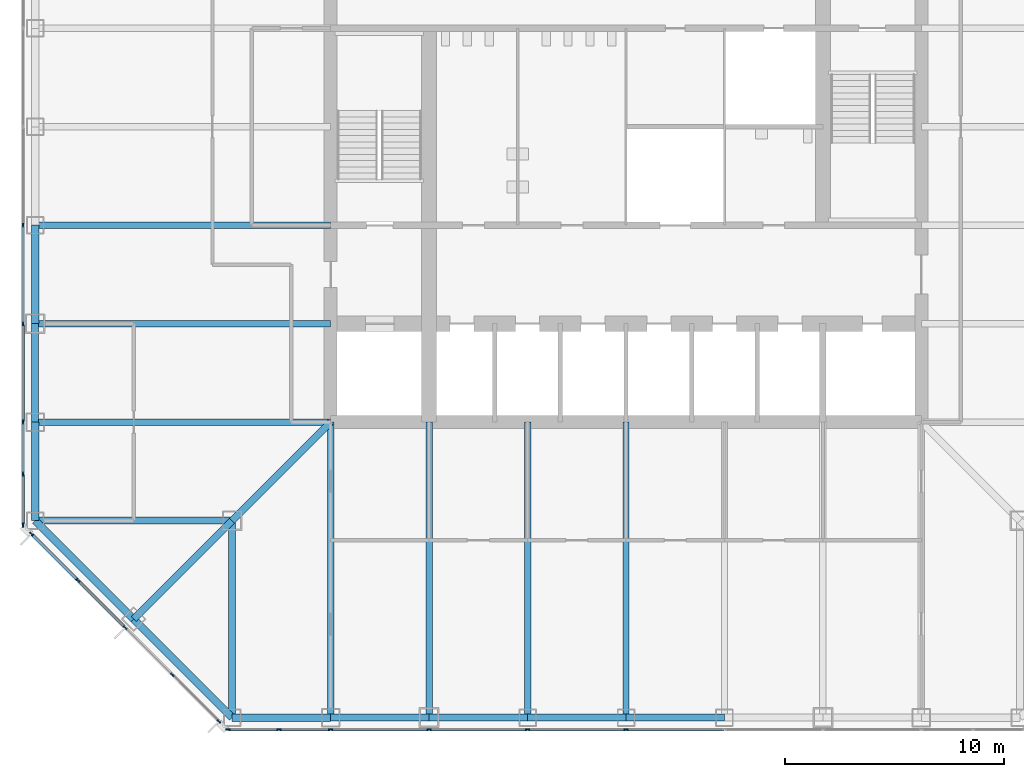
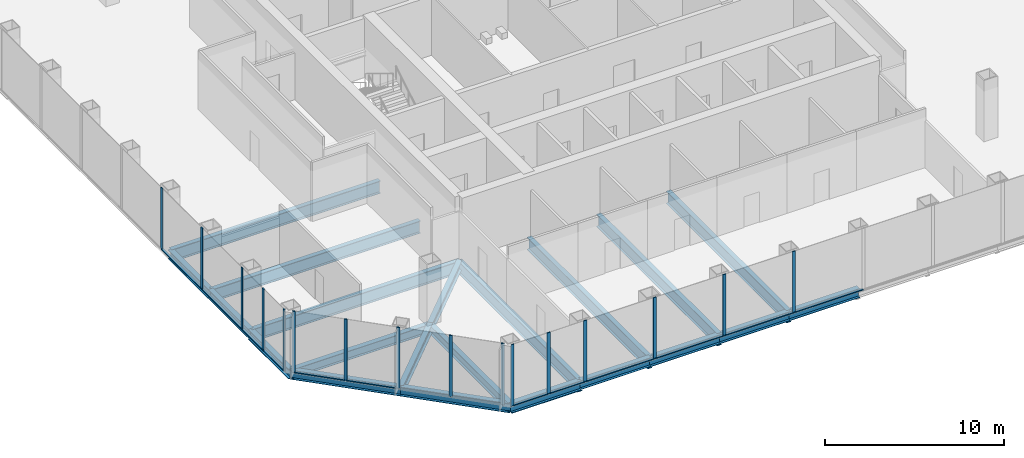
# One storey, part 2 of 12: 28 members, 21 beams, 3 elements without a shape of their own.
"""IFC4 building model written with IfcOpenShell, lengths in metres."""

from ifc_helpers import new_model, si_unit, direction, frame, origin, origin_2d, place, context, subcontext, project, spatial, rectangle, i_section, extrude, material, material_profile, profile_set, type_object, element, aggregate, save


model = new_model("IFC4")

# Units and contexts
model_context = context("Model", 3, precision=1e-05, world=origin(), true_north=direction((0.0, 1.0)))
body_context = subcontext(model_context, "Body", "Model", "MODEL_VIEW")
ifc_project = project(units=[si_unit("LENGTHUNIT", "METRE"), si_unit("AREAUNIT", "SQUARE_METRE"), si_unit("VOLUMEUNIT", "CUBIC_METRE"), si_unit("PLANEANGLEUNIT", "RADIAN"), si_unit("MASSUNIT", "GRAM", prefix="KILO")], contexts=[model_context])

# Site, building, storey
site_placement = place(None, origin())
site = spatial("IfcSite", under=ifc_project, at=site_placement, CompositionType="ELEMENT")
building_placement = place(site_placement, origin())
building = spatial("IfcBuilding", under=site, at=building_placement, Name="Corais Broadcast Tower", CompositionType="ELEMENT")
storey_placement = place(building_placement, frame((0.0, 0.0, 54.199951171875)))
storey = spatial("IfcBuildingStorey", under=building, at=storey_placement, Name="L11", CompositionType="ELEMENT", Elevation=54.199951171875)

# Beams
ifc_material_1 = material(Name="Steel ASTM A572 Grade 50", Category="steel")
ifc_material_profile_1 = material_profile(ifc_material_1, i_section(OverallWidth=0.323974609375, OverallDepth=0.611083984375, WebThickness=0.0126953125, FlangeThickness=0.01904296875, at=origin_2d()), Name="W610x155")
ifc_profile_set_1 = profile_set([ifc_material_profile_1], Name="Steel ASTM A572 Grade 50")
beam_type_1 = type_object("IfcBeamType", Name="Chamfer tie W610x155", PredefinedType="BEAM", material=ifc_profile_set_1)
beam_1_placement = place(storey_placement, frame((4.5, 4.5, -0.46533203125), z_axis=(0.707106781187, 0.707106781187, 0.0), x_axis=(-0.707106781187, 0.707106781187, 0.0)))
element("IfcBeam", 1, at=beam_1_placement, inside=storey, type_object=beam_type_1, Name="B5 B/4 to C/5", PredefinedType="BEAM", context=body_context, shape_type="SweptSolid", body=[
    extrude(i_section(OverallWidth=0.323974609375, OverallDepth=0.611083984375, WebThickness=0.0126953125, FlangeThickness=0.01904296875, at=origin_2d()), origin(), (0.0, 0.0, 1.0), 6.364013671875),
])
ifc_material_2 = material(Name="Steel ASTM A572 Grade 50", Category="steel")
ifc_material_profile_2 = material_profile(ifc_material_2, i_section(OverallWidth=0.323974609375, OverallDepth=0.611083984375, WebThickness=0.0126953125, FlangeThickness=0.01904296875, at=origin_2d()), Name="W610x155")
ifc_profile_set_2 = profile_set([ifc_material_profile_2], Name="Steel ASTM A572 Grade 50")
beam_type_2 = type_object("IfcBeamType", Name="Corner diagonal W610x155", PredefinedType="BEAM", material=ifc_profile_set_2)
beam_2_placement = place(storey_placement, frame((9.0, 9.0, -0.46533203125), z_axis=(0.707106781187, 0.707106781187, 0.0), x_axis=(-0.707106781187, 0.707106781187, 0.0)))
element("IfcBeam", 2, at=beam_2_placement, inside=storey, type_object=beam_type_2, Name="B6 C/5 to D/6", PredefinedType="BEAM", context=body_context, shape_type="SweptSolid", body=[
    extrude(i_section(OverallWidth=0.323974609375, OverallDepth=0.611083984375, WebThickness=0.0126953125, FlangeThickness=0.01904296875, at=origin_2d()), origin(), (0.0, 0.0, 1.0), 6.364013671875),
])
ifc_material_3 = material(Name="Steel ASTM A572 Grade 50", Category="steel")
ifc_material_profile_3 = material_profile(ifc_material_3, i_section(OverallWidth=0.323974609375, OverallDepth=0.611083984375, WebThickness=0.0126953125, FlangeThickness=0.01904296875, at=origin_2d()), Name="W610x155")
ifc_profile_set_3 = profile_set([ifc_material_profile_3], Name="Steel ASTM A572 Grade 50")
beam_type_3 = type_object("IfcBeamType", Name="Corner girder W610x155", PredefinedType="BEAM", material=ifc_profile_set_3)
for number, where, z_axis, x_axis, name in (
    (3, (0.0, 9.0, -0.46533203125), (1.0, 0.0, 0.0), (0.0, 1.0, 0.0), "B4 C/3 to C/5"),
    (4, (9.0, 0.0, -0.46533203125), (0.0, 1.0, 0.0), (-1.0, 0.0, 0.0), "B4 A/5 to C/5"),
):
    element("IfcBeam", number, at=place(storey_placement, frame(where, z_axis=z_axis, x_axis=x_axis)), inside=storey, type_object=beam_type_3, Name=name, PredefinedType="BEAM", context=body_context, shape_type="SweptSolid", body=[
        extrude(i_section(OverallWidth=0.323974609375, OverallDepth=0.611083984375, WebThickness=0.0126953125, FlangeThickness=0.01904296875, at=origin_2d()), origin(), (0.0, 0.0, 1.0), 9.0),
    ])
ifc_material_4 = material(Name="Steel ASTM A572 Grade 50", Category="steel")
ifc_material_profile_4 = material_profile(ifc_material_4, i_section(OverallWidth=0.337890625, OverallDepth=0.677978515625, WebThickness=0.029541015625, FlangeThickness=0.052978515625, at=origin_2d()), Name="W610x415")
ifc_profile_set_4 = profile_set([ifc_material_profile_4], Name="Steel ASTM A572 Grade 50")
beam_type_4 = type_object("IfcBeamType", Name="Corner spandrel W610x415", PredefinedType="BEAM", material=ifc_profile_set_4)
for number, where, z_axis, x_axis, name in (
    (5, (0.0, 13.5, -0.4990234375), (0.0, -1.0, 0.0), (1.0, 0.0, 0.0), "SB10 D/3 to C/3"),
    (6, (9.0, 0.0, -0.4990234375), (1.0, 0.0, 0.0), (0.0, 1.0, 0.0), "SB10 A/5 to A/6"),
):
    element("IfcBeam", number, at=place(storey_placement, frame(where, z_axis=z_axis, x_axis=x_axis)), inside=storey, type_object=beam_type_4, Name=name, PredefinedType="BEAM", context=body_context, shape_type="SweptSolid", body=[
        extrude(i_section(OverallWidth=0.337890625, OverallDepth=0.677978515625, WebThickness=0.029541015625, FlangeThickness=0.052978515625, at=origin_2d()), origin(), (0.0, 0.0, 1.0), 4.5),
    ])
ifc_material_5 = material(Name="Steel ASTM A572 Grade 50", Category="steel")
ifc_material_profile_5 = material_profile(ifc_material_5, i_section(OverallWidth=0.2939453125, OverallDepth=0.85107421875, WebThickness=0.01611328125, FlangeThickness=0.02685546875, at=origin_2d()), Name="W840x226")
ifc_profile_set_5 = profile_set([ifc_material_profile_5], Name="Steel ASTM A572 Grade 50")
beam_type_5 = type_object("IfcBeamType", Name="Floor beam W840x226", PredefinedType="BEAM", material=ifc_profile_set_5)
for number, where, z_axis, x_axis, name in (
    (7, (0.0, 13.5, -0.58544921875), (1.0, 0.0, 0.0), (0.0, 1.0, 0.0), "B1 D/3 to D/6"),
    (8, (0.0, 18.0, -0.58544921875), (1.0, 0.0, 0.0), (0.0, 1.0, 0.0), "B1 E/3 to E/6"),
    (9, (0.0, 22.5, -0.58544921875), (1.0, 0.0, 0.0), (0.0, 1.0, 0.0), "B1 F/3 to F/6"),
    (10, (13.5, 0.0, -0.58544921875), (0.0, 1.0, 0.0), (-1.0, 0.0, 0.0), "B1 A/6 to D/6"),
    (11, (18.0, 0.0, -0.58544921875), (0.0, 1.0, 0.0), (-1.0, 0.0, 0.0), "B1 A/7 to D/7"),
    (12, (22.5, 0.0, -0.58544921875), (0.0, 1.0, 0.0), (-1.0, 0.0, 0.0), "B1 A/8 to D/8"),
    (13, (27.0, 0.0, -0.58544921875), (0.0, 1.0, 0.0), (-1.0, 0.0, 0.0), "B1 A/9 to D/9"),
):
    element("IfcBeam", number, at=place(storey_placement, frame(where, z_axis=z_axis, x_axis=x_axis)), inside=storey, type_object=beam_type_5, Name=name, PredefinedType="BEAM", context=body_context, shape_type="SweptSolid", body=[
        extrude(i_section(OverallWidth=0.2939453125, OverallDepth=0.85107421875, WebThickness=0.01611328125, FlangeThickness=0.02685546875, at=origin_2d()), origin(), (0.0, 0.0, 1.0), 13.5),
    ])

# Curtain wall, members
ifc_material_6 = material(Name="Aluminium and glass", Category="aluminium")
curtain_wall_type = type_object("IfcCurtainWallType", Name="Unitised fritted curtain wall CW1", PredefinedType="NOTDEFINED", material=ifc_material_6)
curtain_wall_1_placement = place(storey_placement, origin())
curtain_wall_1 = element("IfcCurtainWall", 14, at=curtain_wall_1_placement, inside=storey, type_object=curtain_wall_type, Name="CW1 curtain wall L11 1", PredefinedType="NOTDEFINED")
ifc_material_7 = material(Name="Aluminium 6063-T6", Category="aluminium")
ifc_material_profile_6 = material_profile(ifc_material_7, rectangle(XDim=0.06494140625, YDim=0.199951171875, at=origin_2d()), Name="Mullion CW1 65x200")
ifc_profile_set_6 = profile_set([ifc_material_profile_6], Name="Aluminium 6063-T6")
member_type_1 = type_object("IfcMemberType", Name="Mullion CW1 65x200", PredefinedType="MULLION", material=ifc_profile_set_6)
member_1_placement = place(storey_placement, frame((8.3955078125, -0.17333984375, 0.0), z_axis=(0.0, 0.0, 1.0), x_axis=(-0.707106781187, -0.707106781187, 0.0)))
member_1 = element("IfcMember", 15, at=member_1_placement, type_object=member_type_1, Name="CW1 mullion 1", PredefinedType="MULLION", context=body_context, shape_type="SweptSolid", body=[
    extrude(rectangle(XDim=0.06494140625, YDim=0.199951171875, at=origin_2d()), origin(), (0.0, 0.0, 1.0), 4.199951171875),
])
member_2_placement = place(storey_placement, frame((6.264892578125, 1.957275390625, 0.0), z_axis=(0.0, 0.0, 1.0), x_axis=(-0.707106781187, -0.707106781187, 0.0)))
member_2 = element("IfcMember", 16, at=member_2_placement, type_object=member_type_1, Name="CW1 mullion 2", PredefinedType="MULLION", context=body_context, shape_type="SweptSolid", body=[
    extrude(rectangle(XDim=0.06494140625, YDim=0.199951171875, at=origin_2d()), origin(), (0.0, 0.0, 1.0), 4.199951171875),
])
member_3_placement = place(storey_placement, frame((4.111083984375, 4.111083984375, 0.0), z_axis=(0.0, 0.0, 1.0), x_axis=(-0.707106781187, -0.707106781187, 0.0)))
member_3 = element("IfcMember", 17, at=member_3_placement, type_object=member_type_1, Name="CW1 mullion 3", PredefinedType="MULLION", context=body_context, shape_type="SweptSolid", body=[
    extrude(rectangle(XDim=0.06494140625, YDim=0.199951171875, at=origin_2d()), origin(), (0.0, 0.0, 1.0), 4.199951171875),
])
member_4_placement = place(storey_placement, frame((1.957275390625, 6.264892578125, 0.0), z_axis=(0.0, 0.0, 1.0), x_axis=(-0.707106781187, -0.707106781187, 0.0)))
member_4 = element("IfcMember", 18, at=member_4_placement, type_object=member_type_1, Name="CW1 mullion 4", PredefinedType="MULLION", context=body_context, shape_type="SweptSolid", body=[
    extrude(rectangle(XDim=0.06494140625, YDim=0.199951171875, at=origin_2d()), origin(), (0.0, 0.0, 1.0), 4.199951171875),
])
member_5_placement = place(storey_placement, frame((-0.17333984375, 8.3955078125, 0.0), z_axis=(0.0, 0.0, 1.0), x_axis=(-0.707106781187, -0.707106781187, 0.0)))
member_5 = element("IfcMember", 19, at=member_5_placement, type_object=member_type_1, Name="CW1 mullion 5", PredefinedType="MULLION", context=body_context, shape_type="SweptSolid", body=[
    extrude(rectangle(XDim=0.06494140625, YDim=0.199951171875, at=origin_2d()), origin(), (0.0, 0.0, 1.0), 4.199951171875),
])

curtain_wall_2_placement = place(storey_placement, origin())
curtain_wall_2 = element("IfcCurtainWall", 20, at=curtain_wall_2_placement, inside=storey, type_object=curtain_wall_type, Name="CW1 curtain wall L11 2", PredefinedType="NOTDEFINED")
member_6_placement = place(storey_placement, frame((-0.550048828125, 8.8046875, 0.0), z_axis=(0.0, 0.0, 1.0), x_axis=(-1.0, 0.0, 0.0)))
member_6 = element("IfcMember", 21, at=member_6_placement, type_object=member_type_1, Name="CW1 mullion 1", PredefinedType="MULLION", context=body_context, shape_type="SweptSolid", body=[
    extrude(rectangle(XDim=0.06494140625, YDim=0.199951171875, at=origin_2d()), origin(), (0.0, 0.0, 1.0), 4.199951171875),
])
member_7_placement = place(storey_placement, frame((-0.550048828125, 11.135986328125, 0.0), z_axis=(0.0, 0.0, 1.0), x_axis=(-1.0, 0.0, 0.0)))
member_7 = element("IfcMember", 22, at=member_7_placement, type_object=member_type_1, Name="CW1 mullion 2", PredefinedType="MULLION", context=body_context, shape_type="SweptSolid", body=[
    extrude(rectangle(XDim=0.06494140625, YDim=0.199951171875, at=origin_2d()), origin(), (0.0, 0.0, 1.0), 4.199951171875),
])
member_8_placement = place(storey_placement, frame((-0.550048828125, 13.5, 0.0), z_axis=(0.0, 0.0, 1.0), x_axis=(-1.0, 0.0, 0.0)))
member_8 = element("IfcMember", 23, at=member_8_placement, type_object=member_type_1, Name="CW1 mullion 3", PredefinedType="MULLION", context=body_context, shape_type="SweptSolid", body=[
    extrude(rectangle(XDim=0.06494140625, YDim=0.199951171875, at=origin_2d()), origin(), (0.0, 0.0, 1.0), 4.199951171875),
])
member_9_placement = place(storey_placement, frame((-0.550048828125, 18.0, 0.0), z_axis=(0.0, 0.0, 1.0), x_axis=(-1.0, 0.0, 0.0)))
member_9 = element("IfcMember", 24, at=member_9_placement, type_object=member_type_1, Name="CW1 mullion 4", PredefinedType="MULLION", context=body_context, shape_type="SweptSolid", body=[
    extrude(rectangle(XDim=0.06494140625, YDim=0.199951171875, at=origin_2d()), origin(), (0.0, 0.0, 1.0), 4.199951171875),
])
member_10_placement = place(storey_placement, frame((-0.550048828125, 22.5, 0.0), z_axis=(0.0, 0.0, 1.0), x_axis=(-1.0, 0.0, 0.0)))
member_10 = element("IfcMember", 25, at=member_10_placement, type_object=member_type_1, Name="CW1 mullion 5", PredefinedType="MULLION", context=body_context, shape_type="SweptSolid", body=[
    extrude(rectangle(XDim=0.06494140625, YDim=0.199951171875, at=origin_2d()), origin(), (0.0, 0.0, 1.0), 4.199951171875),
])

curtain_wall_3_placement = place(storey_placement, origin())
curtain_wall_3 = element("IfcCurtainWall", 26, at=curtain_wall_3_placement, inside=storey, type_object=curtain_wall_type, Name="CW1 curtain wall L11 8", PredefinedType="NOTDEFINED")
member_11_placement = place(storey_placement, frame((27.0, -0.550048828125, 0.0), z_axis=(0.0, 0.0, 1.0), x_axis=(0.0, -1.0, 0.0)))
member_11 = element("IfcMember", 27, at=member_11_placement, type_object=member_type_1, Name="CW1 mullion 6", PredefinedType="MULLION", context=body_context, shape_type="SweptSolid", body=[
    extrude(rectangle(XDim=0.06494140625, YDim=0.199951171875, at=origin_2d()), origin(), (0.0, 0.0, 1.0), 4.199951171875),
])
member_12_placement = place(storey_placement, frame((22.5, -0.550048828125, 0.0), z_axis=(0.0, 0.0, 1.0), x_axis=(0.0, -1.0, 0.0)))
member_12 = element("IfcMember", 28, at=member_12_placement, type_object=member_type_1, Name="CW1 mullion 7", PredefinedType="MULLION", context=body_context, shape_type="SweptSolid", body=[
    extrude(rectangle(XDim=0.06494140625, YDim=0.199951171875, at=origin_2d()), origin(), (0.0, 0.0, 1.0), 4.199951171875),
])
member_13_placement = place(storey_placement, frame((18.0, -0.550048828125, 0.0), z_axis=(0.0, 0.0, 1.0), x_axis=(0.0, -1.0, 0.0)))
member_13 = element("IfcMember", 29, at=member_13_placement, type_object=member_type_1, Name="CW1 mullion 8", PredefinedType="MULLION", context=body_context, shape_type="SweptSolid", body=[
    extrude(rectangle(XDim=0.06494140625, YDim=0.199951171875, at=origin_2d()), origin(), (0.0, 0.0, 1.0), 4.199951171875),
])
member_14_placement = place(storey_placement, frame((13.5, -0.550048828125, 0.0), z_axis=(0.0, 0.0, 1.0), x_axis=(0.0, -1.0, 0.0)))
member_14 = element("IfcMember", 30, at=member_14_placement, type_object=member_type_1, Name="CW1 mullion 9", PredefinedType="MULLION", context=body_context, shape_type="SweptSolid", body=[
    extrude(rectangle(XDim=0.06494140625, YDim=0.199951171875, at=origin_2d()), origin(), (0.0, 0.0, 1.0), 4.199951171875),
])
member_15_placement = place(storey_placement, frame((11.135986328125, -0.550048828125, 0.0), z_axis=(0.0, 0.0, 1.0), x_axis=(0.0, -1.0, 0.0)))
member_15 = element("IfcMember", 31, at=member_15_placement, type_object=member_type_1, Name="CW1 mullion 10", PredefinedType="MULLION", context=body_context, shape_type="SweptSolid", body=[
    extrude(rectangle(XDim=0.06494140625, YDim=0.199951171875, at=origin_2d()), origin(), (0.0, 0.0, 1.0), 4.199951171875),
])
member_16_placement = place(storey_placement, frame((8.8046875, -0.550048828125, 0.0), z_axis=(0.0, 0.0, 1.0), x_axis=(0.0, -1.0, 0.0)))
member_16 = element("IfcMember", 32, at=member_16_placement, type_object=member_type_1, Name="CW1 mullion 11", PredefinedType="MULLION", context=body_context, shape_type="SweptSolid", body=[
    extrude(rectangle(XDim=0.06494140625, YDim=0.199951171875, at=origin_2d()), origin(), (0.0, 0.0, 1.0), 4.199951171875),
])

# Beams
ifc_material_8 = material(Name="Steel ASTM A572 Grade 50", Category="steel")
ifc_material_profile_7 = material_profile(ifc_material_8, i_section(OverallWidth=0.323974609375, OverallDepth=0.611083984375, WebThickness=0.0126953125, FlangeThickness=0.01904296875, at=origin_2d()), Name="W610x155")
ifc_profile_set_7 = profile_set([ifc_material_profile_7], Name="Steel ASTM A572 Grade 50")
beam_type_6 = type_object("IfcBeamType", Name="Pinned spandrel W610x155", PredefinedType="BEAM", material=ifc_profile_set_7)
for number, where, z_axis, x_axis, name in (
    (33, (0.0, 18.0, -0.46533203125), (0.0, -1.0, 0.0), (1.0, 0.0, 0.0), "SB6 E/3 to D/3"),
    (34, (13.5, 0.0, -0.46533203125), (1.0, 0.0, 0.0), (0.0, 1.0, 0.0), "SB6 A/6 to A/7"),
):
    element("IfcBeam", number, at=place(storey_placement, frame(where, z_axis=z_axis, x_axis=x_axis)), inside=storey, type_object=beam_type_6, Name=name, PredefinedType="BEAM", context=body_context, shape_type="SweptSolid", body=[
        extrude(i_section(OverallWidth=0.323974609375, OverallDepth=0.611083984375, WebThickness=0.0126953125, FlangeThickness=0.01904296875, at=origin_2d()), origin(), (0.0, 0.0, 1.0), 4.5),
    ])
ifc_material_9 = material(Name="Steel ASTM A572 Grade 50", Category="steel")
ifc_material_profile_8 = material_profile(ifc_material_9, i_section(OverallWidth=0.3291015625, OverallDepth=0.635009765625, WebThickness=0.017822265625, FlangeThickness=0.031005859375, at=origin_2d()), Name="W610x241")
ifc_profile_set_8 = profile_set([ifc_material_profile_8], Name="Steel ASTM A572 Grade 50")
beam_type_7 = type_object("IfcBeamType", Name="Spandrel W610x241", PredefinedType="BEAM", material=ifc_profile_set_8)
beam_3_placement = place(storey_placement, frame((0.0, 22.5, -0.4775390625), z_axis=(0.0, -1.0, 0.0), x_axis=(1.0, 0.0, 0.0)))
element("IfcBeam", 35, at=beam_3_placement, inside=storey, type_object=beam_type_7, Name="SB1 F/3 to E/3", PredefinedType="BEAM", context=body_context, shape_type="SweptSolid", body=[
    extrude(i_section(OverallWidth=0.3291015625, OverallDepth=0.635009765625, WebThickness=0.017822265625, FlangeThickness=0.031005859375, at=origin_2d()), origin(), (0.0, 0.0, 1.0), 4.5),
])
beam_4_placement = place(storey_placement, frame((0.0, 9.0, -0.4775390625), z_axis=(0.707106781187, -0.707106781187, 0.0), x_axis=(0.707106781187, 0.707106781187, 0.0)))
element("IfcBeam", 36, at=beam_4_placement, inside=storey, type_object=beam_type_7, Name="SB1 C/3 to B/4", PredefinedType="BEAM", context=body_context, shape_type="SweptSolid", body=[
    extrude(i_section(OverallWidth=0.3291015625, OverallDepth=0.635009765625, WebThickness=0.017822265625, FlangeThickness=0.031005859375, at=origin_2d()), origin(), (0.0, 0.0, 1.0), 6.364013671875),
])
for number, where, z_axis, x_axis, name in (
    (37, (18.0, 0.0, -0.4775390625), (1.0, 0.0, 0.0), (0.0, 1.0, 0.0), "SB1 A/7 to A/8"),
    (38, (22.5, 0.0, -0.4775390625), (1.0, 0.0, 0.0), (0.0, 1.0, 0.0), "SB1 A/8 to A/9"),
    (39, (27.0, 0.0, -0.4775390625), (1.0, 0.0, 0.0), (0.0, 1.0, 0.0), "SB1 A/9 to A/10"),
):
    element("IfcBeam", number, at=place(storey_placement, frame(where, z_axis=z_axis, x_axis=x_axis)), inside=storey, type_object=beam_type_7, Name=name, PredefinedType="BEAM", context=body_context, shape_type="SweptSolid", body=[
        extrude(i_section(OverallWidth=0.3291015625, OverallDepth=0.635009765625, WebThickness=0.017822265625, FlangeThickness=0.031005859375, at=origin_2d()), origin(), (0.0, 0.0, 1.0), 4.5),
    ])
beam_5_placement = place(storey_placement, frame((4.5, 4.5, -0.4775390625), z_axis=(0.707106781187, -0.707106781187, 0.0), x_axis=(0.707106781187, 0.707106781187, 0.0)))
element("IfcBeam", 40, at=beam_5_placement, inside=storey, type_object=beam_type_7, Name="SB1 B/4 to A/5", PredefinedType="BEAM", context=body_context, shape_type="SweptSolid", body=[
    extrude(i_section(OverallWidth=0.3291015625, OverallDepth=0.635009765625, WebThickness=0.017822265625, FlangeThickness=0.031005859375, at=origin_2d()), origin(), (0.0, 0.0, 1.0), 6.364013671875),
])

# Member
ifc_material_10 = material(Name="Aluminium 6063-T6", Category="aluminium")
ifc_material_profile_9 = material_profile(ifc_material_10, rectangle(XDim=0.139892578125, YDim=0.06494140625, at=origin_2d()), Name="Transom CW1 65x140")
ifc_profile_set_9 = profile_set([ifc_material_profile_9], Name="Aluminium 6063-T6")
member_type_2 = type_object("IfcMemberType", Name="Transom CW1 65x140", PredefinedType="USERDEFINED", material=ifc_profile_set_9)
member_17_placement = place(storey_placement, frame((4.088134765625, 4.134033203125, 0.032470703125), z_axis=(-0.707106781187, 0.707106781187, 0.0), x_axis=(-0.707106781187, -0.707106781187, 0.0)))
member_17 = element("IfcMember", 41, at=member_17_placement, type_object=member_type_2, Name="CW1 transom 3.1", ObjectType="TRANSOM", PredefinedType="USERDEFINED", context=body_context, shape_type="SweptSolid", body=[
    extrude(rectangle(XDim=0.139892578125, YDim=0.06494140625, at=origin_2d()), origin(), (0.0, 0.0, 1.0), 2.98095703125),
])

member_18_placement = place(storey_placement, frame((1.934326171875, 6.287841796875, 0.032470703125), z_axis=(-0.707106781187, 0.707106781187, 0.0), x_axis=(-0.707106781187, -0.707106781187, 0.0)))
member_18 = element("IfcMember", 42, at=member_18_placement, type_object=member_type_2, Name="CW1 transom 4.1", ObjectType="TRANSOM", PredefinedType="USERDEFINED", context=body_context, shape_type="SweptSolid", body=[
    extrude(rectangle(XDim=0.139892578125, YDim=0.06494140625, at=origin_2d()), origin(), (0.0, 0.0, 1.0), 2.9482421875),
])

aggregate(curtain_wall_1, [member_1, member_2, member_3, member_4, member_5, member_17, member_18])

member_19_placement = place(storey_placement, frame((-0.550048828125, 8.837158203125, 0.032470703125), z_axis=(0.0, 1.0, 0.0), x_axis=(-1.0, 0.0, 0.0)))
member_19 = element("IfcMember", 43, at=member_19_placement, type_object=member_type_2, Name="CW1 transom 1.1", ObjectType="TRANSOM", PredefinedType="USERDEFINED", context=body_context, shape_type="SweptSolid", body=[
    extrude(rectangle(XDim=0.139892578125, YDim=0.06494140625, at=origin_2d()), origin(), (0.0, 0.0, 1.0), 2.266357421875),
])

member_20_placement = place(storey_placement, frame((-0.550048828125, 11.168701171875, 0.032470703125), z_axis=(0.0, 1.0, 0.0), x_axis=(-1.0, 0.0, 0.0)))
member_20 = element("IfcMember", 44, at=member_20_placement, type_object=member_type_2, Name="CW1 transom 2.1", ObjectType="TRANSOM", PredefinedType="USERDEFINED", context=body_context, shape_type="SweptSolid", body=[
    extrude(rectangle(XDim=0.139892578125, YDim=0.06494140625, at=origin_2d()), origin(), (0.0, 0.0, 1.0), 2.298828125),
])

member_21_placement = place(storey_placement, frame((-0.550048828125, 13.532470703125, 0.032470703125), z_axis=(0.0, 1.0, 0.0), x_axis=(-1.0, 0.0, 0.0)))
member_21 = element("IfcMember", 45, at=member_21_placement, type_object=member_type_2, Name="CW1 transom 3.1", ObjectType="TRANSOM", PredefinedType="USERDEFINED", context=body_context, shape_type="SweptSolid", body=[
    extrude(rectangle(XDim=0.139892578125, YDim=0.06494140625, at=origin_2d()), origin(), (0.0, 0.0, 1.0), 4.43505859375),
])

member_22_placement = place(storey_placement, frame((-0.550048828125, 18.032470703125, 0.032470703125), z_axis=(0.0, 1.0, 0.0), x_axis=(-1.0, 0.0, 0.0)))
member_22 = element("IfcMember", 46, at=member_22_placement, type_object=member_type_2, Name="CW1 transom 4.1", ObjectType="TRANSOM", PredefinedType="USERDEFINED", context=body_context, shape_type="SweptSolid", body=[
    extrude(rectangle(XDim=0.139892578125, YDim=0.06494140625, at=origin_2d()), origin(), (0.0, 0.0, 1.0), 4.43505859375),
])

aggregate(curtain_wall_2, [member_6, member_7, member_8, member_9, member_10, member_19, member_20, member_21, member_22])

member_23_placement = place(storey_placement, frame((31.467529296875, -0.550048828125, 0.032470703125), z_axis=(-1.0, 0.0, 0.0), x_axis=(0.0, -1.0, 0.0)))
member_23 = element("IfcMember", 47, at=member_23_placement, type_object=member_type_2, Name="CW1 transom 5.1", ObjectType="TRANSOM", PredefinedType="USERDEFINED", context=body_context, shape_type="SweptSolid", body=[
    extrude(rectangle(XDim=0.139892578125, YDim=0.06494140625, at=origin_2d()), origin(), (0.0, 0.0, 1.0), 4.43505859375),
])

member_24_placement = place(storey_placement, frame((26.967529296875, -0.550048828125, 0.032470703125), z_axis=(-1.0, 0.0, 0.0), x_axis=(0.0, -1.0, 0.0)))
member_24 = element("IfcMember", 48, at=member_24_placement, type_object=member_type_2, Name="CW1 transom 6.1", ObjectType="TRANSOM", PredefinedType="USERDEFINED", context=body_context, shape_type="SweptSolid", body=[
    extrude(rectangle(XDim=0.139892578125, YDim=0.06494140625, at=origin_2d()), origin(), (0.0, 0.0, 1.0), 4.43505859375),
])

member_25_placement = place(storey_placement, frame((22.467529296875, -0.550048828125, 0.032470703125), z_axis=(-1.0, 0.0, 0.0), x_axis=(0.0, -1.0, 0.0)))
member_25 = element("IfcMember", 49, at=member_25_placement, type_object=member_type_2, Name="CW1 transom 7.1", ObjectType="TRANSOM", PredefinedType="USERDEFINED", context=body_context, shape_type="SweptSolid", body=[
    extrude(rectangle(XDim=0.139892578125, YDim=0.06494140625, at=origin_2d()), origin(), (0.0, 0.0, 1.0), 4.43505859375),
])

member_26_placement = place(storey_placement, frame((17.967529296875, -0.550048828125, 0.032470703125), z_axis=(-1.0, 0.0, 0.0), x_axis=(0.0, -1.0, 0.0)))
member_26 = element("IfcMember", 50, at=member_26_placement, type_object=member_type_2, Name="CW1 transom 8.1", ObjectType="TRANSOM", PredefinedType="USERDEFINED", context=body_context, shape_type="SweptSolid", body=[
    extrude(rectangle(XDim=0.139892578125, YDim=0.06494140625, at=origin_2d()), origin(), (0.0, 0.0, 1.0), 4.43505859375),
])

member_27_placement = place(storey_placement, frame((13.467529296875, -0.550048828125, 0.032470703125), z_axis=(-1.0, 0.0, 0.0), x_axis=(0.0, -1.0, 0.0)))
member_27 = element("IfcMember", 51, at=member_27_placement, type_object=member_type_2, Name="CW1 transom 9.1", ObjectType="TRANSOM", PredefinedType="USERDEFINED", context=body_context, shape_type="SweptSolid", body=[
    extrude(rectangle(XDim=0.139892578125, YDim=0.06494140625, at=origin_2d()), origin(), (0.0, 0.0, 1.0), 2.298828125),
])

member_28_placement = place(storey_placement, frame((11.103515625, -0.550048828125, 0.032470703125), z_axis=(-1.0, 0.0, 0.0), x_axis=(0.0, -1.0, 0.0)))
member_28 = element("IfcMember", 52, at=member_28_placement, type_object=member_type_2, Name="CW1 transom 10.1", ObjectType="TRANSOM", PredefinedType="USERDEFINED", context=body_context, shape_type="SweptSolid", body=[
    extrude(rectangle(XDim=0.139892578125, YDim=0.06494140625, at=origin_2d()), origin(), (0.0, 0.0, 1.0), 2.266357421875),
])

aggregate(curtain_wall_3, [member_11, member_12, member_13, member_14, member_15, member_16, member_23, member_24, member_25, member_26, member_27, member_28])

save(model, "model.ifc")
